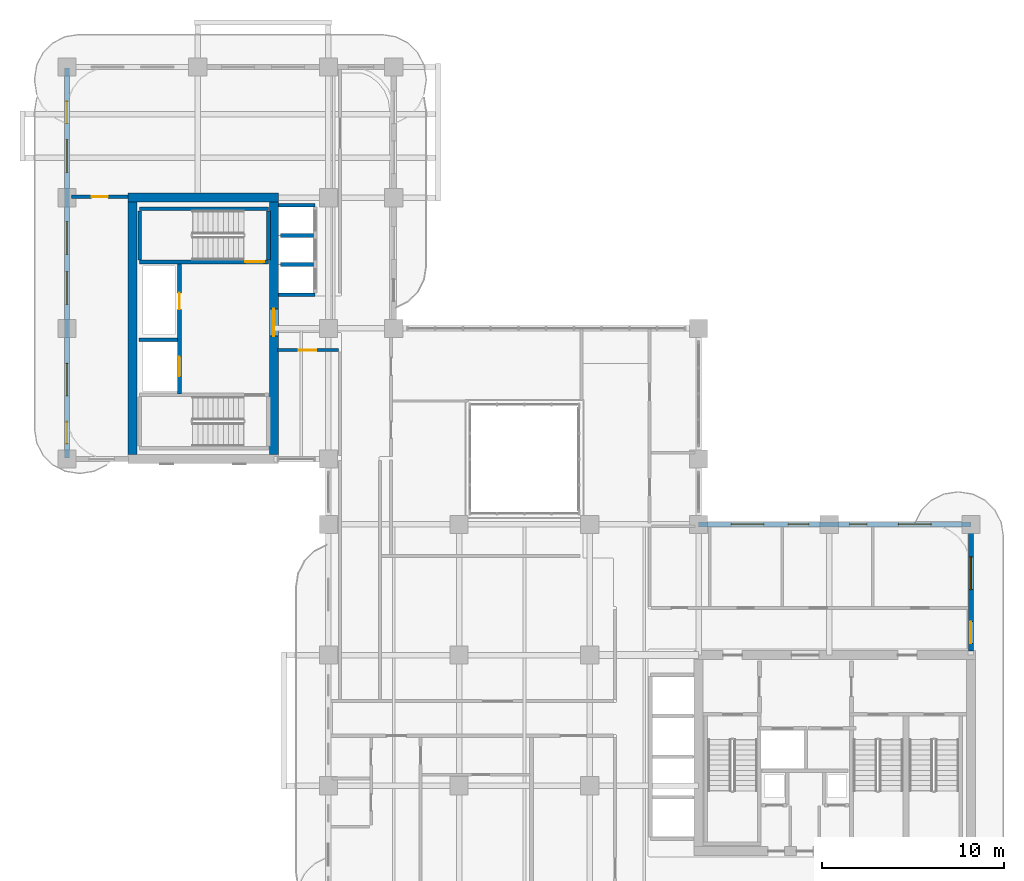
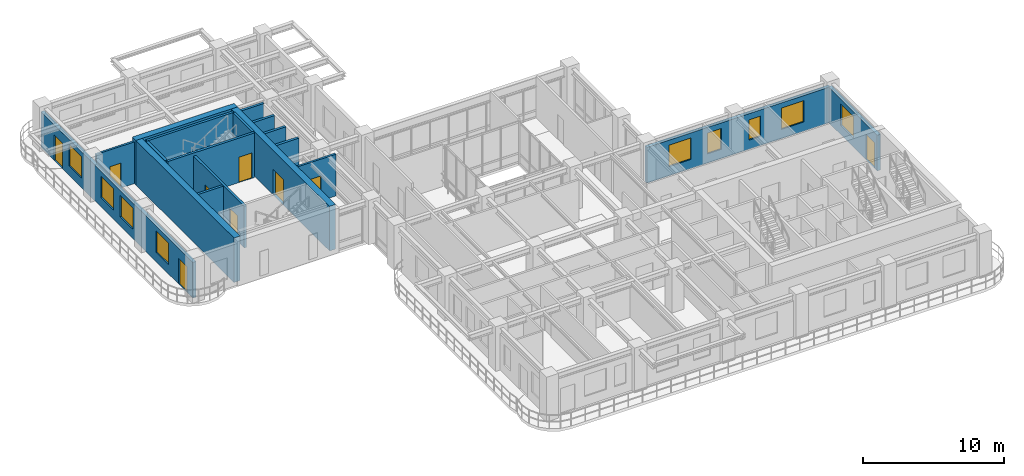
# One storey, part 14 of 19: 18 walls, 9 doors, 9 windows, 18 openings.
"""IFC4 building model written with IfcOpenShell, lengths in metres."""

from ifc_helpers import new_model, si_unit, derived_unit, direction, frame, frame_2d, origin, place, context, subcontext, project, spatial, rectangle, extrude, source, transform, mapped, material, layer, layer_set, type_object, type_shapes, element, fill, save


model = new_model("IFC4")

# Units and contexts
model_context = context("Model", 3, precision=1e-05, world=origin(), true_north=direction((0.0, 1.0)))
body_context = subcontext(model_context, "Body", "Model", "MODEL_VIEW")
ifc_project = project(units=[si_unit("LENGTHUNIT", "METRE"), si_unit("AREAUNIT", "SQUARE_METRE"), si_unit("VOLUMEUNIT", "CUBIC_METRE"), si_unit("PLANEANGLEUNIT", "RADIAN"), si_unit("MASSUNIT", "GRAM", prefix="KILO"), si_unit("THERMODYNAMICTEMPERATUREUNIT", "KELVIN"), si_unit("POWERUNIT", "WATT"), derived_unit("THERMALTRANSMITTANCEUNIT", [(si_unit("POWERUNIT", "WATT"), 1), (si_unit("AREAUNIT", "SQUARE_METRE"), -1), (si_unit("THERMODYNAMICTEMPERATUREUNIT", "KELVIN"), -1)])], contexts=[model_context])

# Site, building, storey
site_placement = place(None, origin())
site = spatial("IfcSite", under=ifc_project, at=site_placement, CompositionType="ELEMENT")
building_placement = place(site_placement, origin())
building = spatial("IfcBuilding", under=site, at=building_placement, Name="Zahravan Archway Hotel and Residences", CompositionType="ELEMENT")
storey_placement = place(building_placement, frame((0.0, 0.0, 158.0)))
storey = spatial("IfcBuildingStorey", under=building, at=storey_placement, Name="L39", CompositionType="ELEMENT", Elevation=158.0)

# Walls
ifc_material_1 = material(Name="Concrete C60/75", Category="concrete")
ifc_layer_1 = layer(ifc_material_1, 0.5, Name="Concrete C60/75", Category="concrete")
ifc_layer_set_1 = layer_set([ifc_layer_1], Name="Concrete C60/75")
wall_type_1 = type_object("IfcWallType", Name="CW-CORE-500", PredefinedType="SHEAR", material=ifc_layer_set_1)
wall_1_placement = place(storey_placement, frame((3.35009765625, 39.60009765625, 0.0), z_axis=(0.0, 0.0, 1.0), x_axis=(1.0, 0.0, 0.0)))
element("IfcWall", 1, at=wall_1_placement, inside=storey, type_object=wall_type_1, Name="L39 Core B Shear N Wall 500 mm", PredefinedType="SHEAR", context=body_context, shape_type="SweptSolid", body=[
    extrude(rectangle(XDim=8.2998046875, YDim=0.5, at=frame_2d((4.14990234375, 0.0))), origin(), (0.0, 0.0, 1.0), 3.85009765625),
])
wall_2_placement = place(storey_placement, frame((3.60009765625, 25.449951171875, 0.0), z_axis=(0.0, 0.0, 1.0), x_axis=(0.0, 1.0, 0.0)))
element("IfcWall", 2, at=wall_2_placement, inside=storey, type_object=wall_type_1, Name="L39 Core B Shear W Wall 500 mm", PredefinedType="SHEAR", context=body_context, shape_type="SweptSolid", body=[
    extrude(rectangle(XDim=13.900146484375, YDim=0.5, at=frame_2d((6.9501953125, 0.0))), origin(), (0.0, 0.0, 1.0), 3.85009765625),
])

# Wall, opening, door
wall_3_placement = place(storey_placement, frame((11.39990234375, 25.449951171875, 0.0), z_axis=(0.0, 0.0, 1.0), x_axis=(0.0, 1.0, 0.0)))
wall_3 = element("IfcWall", 3, at=wall_3_placement, inside=storey, type_object=wall_type_1, Name="L39 Core B Shear E Wall 500 mm", PredefinedType="SHEAR", context=body_context, shape_type="SweptSolid", body=[
    extrude(rectangle(XDim=13.900146484375, YDim=0.5, at=frame_2d((6.9501953125, 0.0))), origin(), (0.0, 0.0, 1.0), 3.85009765625),
])
opening_1_placement = place(wall_3_placement, frame((6.52001953125, 0.0, 0.0)))
opening_1 = element("IfcOpeningElement", 4, at=opening_1_placement, cuts=wall_3, Name="Opening FD-L1", PredefinedType="OPENING", context=body_context, shape_type="SweptSolid", body=[
    extrude(rectangle(XDim=1.5, YDim=2.199951171875, at=frame_2d((0.75, 1.10009765625))), frame((0.0, 0.260009765625, 0.0), z_axis=(0.0, -1.0, 0.0), x_axis=(1.0, 0.0, 0.0)), (0.0, 0.0, 1.0), 0.52001953125),
])
ifc_material_2 = material(Name="Fire-Rated Painted Steel", Category="steel")
door_type_1 = type_object("IfcDoorType", Name="FD-LOBBY-1500", OperationType="DOUBLE_DOOR_SINGLE_SWING", PredefinedType="DOOR", material=ifc_material_2)
shared_shape_1 = source(origin(), body_context, "Body", "SweptSolid", [
    extrude(rectangle(XDim=1.5, YDim=2.199951171875, at=frame_2d((0.75, 1.10009765625))), frame((0.0, 0.02490234375, 0.0), z_axis=(0.0, -1.0, 0.0), x_axis=(1.0, 0.0, 0.0)), (0.0, 0.0, 1.0), 0.050048828125),
])
type_shapes(door_type_1, [shared_shape_1])
door_1_placement = place(opening_1_placement, origin())
door_1 = element("IfcDoor", 5, at=door_1_placement, inside=storey, type_object=door_type_1, Name="L39 Core B FSAE Lobby Door", OperationType="DOUBLE_DOOR_SINGLE_SWING", OverallHeight=2.199951171875, OverallWidth=1.5, PredefinedType="DOOR", context=body_context, shape_type="MappedRepresentation", body=[
    mapped(shared_shape_1, transform((0.0, 0.0, 0.0), scale=1.0)),
])
fill(opening_1, door_1)

# Wall, openings, door, window
ifc_material_3 = material(Name="Honed Red-Ochre Sandstone & Insulated Block", Category="masonry")
ifc_layer_2 = layer(ifc_material_3, 0.280029296875, Name="Honed Red-Ochre Sandstone & Insulated Block", Category="masonry")
ifc_layer_set_2 = layer_set([ifc_layer_2], Name="Honed Red-Ochre Sandstone & Insulated Block")
wall_type_2 = type_object("IfcWallType", Name="EW-LOG-280", PredefinedType="SOLIDWALL", material=ifc_layer_set_2)
wall_4_placement = place(storey_placement, frame((49.800048828125, 14.6201171875, 0.0), z_axis=(0.0, 0.0, 1.0), x_axis=(0.0, 1.0, 0.0)))
wall_4 = element("IfcWall", 6, at=wall_4_placement, inside=storey, type_object=wall_type_2, Name="L39 Exterior Sandstone Wall WA-EN", PredefinedType="SOLIDWALL", context=body_context, shape_type="SweptSolid", body=[
    extrude(rectangle(XDim=6.929931640625, YDim=0.280029296875, at=frame_2d((3.46484375, 0.0))), origin(), (0.0, 0.0, 1.0), 3.0849609375),
])
opening_2_placement = place(wall_4_placement, frame((0.419921875, 0.0, 0.0)))
opening_2 = element("IfcOpeningElement", 7, at=opening_2_placement, cuts=wall_4, Name="Opening ED-BL1", PredefinedType="OPENING", context=body_context, shape_type="SweptSolid", body=[
    extrude(rectangle(XDim=1.199951171875, YDim=2.199951171875, at=frame_2d((0.60009765625, 1.10009765625))), frame((0.0, 0.14990234375, 0.0), z_axis=(0.0, -1.0, 0.0), x_axis=(1.0, 0.0, 0.0)), (0.0, 0.0, 1.0), 0.300048828125),
])
opening_3_placement = place(wall_4_placement, frame((3.384033203125, 0.0, 0.800048828125)))
opening_3 = element("IfcOpeningElement", 8, at=opening_3_placement, cuts=wall_4, Name="Opening W-02", PredefinedType="OPENING", context=body_context, shape_type="SweptSolid", body=[
    extrude(rectangle(XDim=1.800048828125, YDim=1.85009765625, at=frame_2d((0.89990234375, 0.925048828125))), frame((0.0, 0.14990234375, 0.0), z_axis=(0.0, -1.0, 0.0), x_axis=(1.0, 0.0, 0.0)), (0.0, 0.0, 1.0), 0.300048828125),
])
ifc_material_4 = material(Name="Bronze-Anodized Glazed Aluminium", Category="aluminium")
door_type_2 = type_object("IfcDoorType", Name="ED-BALC-1200", OperationType="SLIDING_TO_LEFT", PredefinedType="DOOR", material=ifc_material_4)
shared_shape_2 = source(origin(), body_context, "Body", "SweptSolid", [
    extrude(rectangle(XDim=1.199951171875, YDim=2.199951171875, at=frame_2d((0.60009765625, 1.10009765625))), frame((0.0, 0.02490234375, 0.0), z_axis=(0.0, -1.0, 0.0), x_axis=(1.0, 0.0, 0.0)), (0.0, 0.0, 1.0), 0.050048828125),
])
type_shapes(door_type_2, [shared_shape_2])
door_2_placement = place(opening_2_placement, origin())
door_2 = element("IfcDoor", 9, at=door_2_placement, inside=storey, type_object=door_type_2, Name="L39 Outdoor Access Sliding Door (SLB-BAL-L39-EA)", OperationType="SLIDING_TO_LEFT", OverallHeight=2.199951171875, OverallWidth=1.199951171875, PredefinedType="DOOR", context=body_context, shape_type="MappedRepresentation", body=[
    mapped(shared_shape_2, transform((0.0, 0.0, 0.0), scale=1.0)),
])
fill(opening_2, door_2)
ifc_material_5 = material(Name="Bronze-Anodized Thermal-Break Aluminium & Low-E Glass", Category="aluminium")
window_type_1 = type_object("IfcWindowType", Name="WIN-TWR-1800", PartitioningType="DOUBLE_PANEL_VERTICAL", PredefinedType="WINDOW", material=ifc_material_5)
shared_shape_3 = source(origin(), body_context, "Body", "SweptSolid", [
    extrude(rectangle(XDim=1.800048828125, YDim=1.85009765625, at=frame_2d((0.89990234375, 0.925048828125))), frame((0.0, 0.030029296875, 0.0), z_axis=(0.0, -1.0, 0.0), x_axis=(1.0, 0.0, 0.0)), (0.0, 0.0, 1.0), 0.06005859375),
])
type_shapes(window_type_1, [shared_shape_3])
window_1_placement = place(opening_3_placement, origin())
window_1 = element("IfcWindow", 10, at=window_1_placement, inside=storey, type_object=window_type_1, Name="L39 Loggia Window 10", OverallHeight=1.85009765625, OverallWidth=1.800048828125, PartitioningType="DOUBLE_PANEL_VERTICAL", PredefinedType="WINDOW", context=body_context, shape_type="MappedRepresentation", body=[
    mapped(shared_shape_3, transform((0.0, 0.0, 0.0), scale=1.0)),
])
fill(opening_3, window_1)

# Wall, openings, windows
wall_5_placement = place(storey_placement, frame((34.800048828125, 21.60009765625, 0.0), z_axis=(0.0, 0.0, 1.0), x_axis=(1.0, 0.0, 0.0)))
wall_5 = element("IfcWall", 11, at=wall_5_placement, inside=storey, type_object=wall_type_2, Name="L39 Exterior Sandstone Wall WA-NE", PredefinedType="SOLIDWALL", context=body_context, shape_type="SweptSolid", body=[
    extrude(rectangle(XDim=15.0, YDim=0.280029296875, at=frame_2d((7.5, 0.0))), origin(), (0.0, 0.0, 1.0), 3.0849609375),
])
opening_4_placement = place(wall_5_placement, frame((1.7958984375, 0.0, 0.800048828125)))
opening_4 = element("IfcOpeningElement", 12, at=opening_4_placement, cuts=wall_5, Name="Opening W-02", PredefinedType="OPENING", context=body_context, shape_type="SweptSolid", body=[
    extrude(rectangle(XDim=1.800048828125, YDim=1.85009765625, at=frame_2d((0.89990234375, 0.925048828125))), frame((0.0, 0.14990234375, 0.0), z_axis=(0.0, -1.0, 0.0), x_axis=(1.0, 0.0, 0.0)), (0.0, 0.0, 1.0), 0.300048828125),
])
opening_5_placement = place(wall_5_placement, frame((4.928955078125, 0.0, 0.800048828125)))
opening_5 = element("IfcOpeningElement", 13, at=opening_5_placement, cuts=wall_5, Name="Opening W-05", PredefinedType="OPENING", context=body_context, shape_type="SweptSolid", body=[
    extrude(rectangle(XDim=1.14990234375, YDim=1.800048828125, at=frame_2d((0.574951171875, 0.89990234375))), frame((0.0, 0.14990234375, 0.0), z_axis=(0.0, -1.0, 0.0), x_axis=(1.0, 0.0, 0.0)), (0.0, 0.0, 1.0), 0.300048828125),
])
opening_6_placement = place(wall_5_placement, frame((8.321044921875, 0.0, 0.800048828125)))
opening_6 = element("IfcOpeningElement", 14, at=opening_6_placement, cuts=wall_5, Name="Opening W-04", PredefinedType="OPENING", context=body_context, shape_type="SweptSolid", body=[
    extrude(rectangle(XDim=0.949951171875, YDim=1.75, at=frame_2d((0.47509765625, 0.875))), frame((0.0, 0.14990234375, 0.0), z_axis=(0.0, -1.0, 0.0), x_axis=(1.0, 0.0, 0.0)), (0.0, 0.0, 1.0), 0.300048828125),
])
opening_7_placement = place(wall_5_placement, frame((11.00390625, 0.0, 0.800048828125)))
opening_7 = element("IfcOpeningElement", 15, at=opening_7_placement, cuts=wall_5, Name="Opening W-02", PredefinedType="OPENING", context=body_context, shape_type="SweptSolid", body=[
    extrude(rectangle(XDim=1.800048828125, YDim=1.85009765625, at=frame_2d((0.89990234375, 0.925048828125))), frame((0.0, 0.14990234375, 0.0), z_axis=(0.0, -1.0, 0.0), x_axis=(1.0, 0.0, 0.0)), (0.0, 0.0, 1.0), 0.300048828125),
])
window_type_2 = type_object("IfcWindowType", Name="WIN-NAR-950", PartitioningType="SINGLE_PANEL", PredefinedType="WINDOW", material=ifc_material_5)
shared_shape_4 = source(origin(), body_context, "Body", "SweptSolid", [
    extrude(rectangle(XDim=0.949951171875, YDim=1.75, at=frame_2d((0.47509765625, 0.875))), frame((0.0, 0.030029296875, 0.0), z_axis=(0.0, -1.0, 0.0), x_axis=(1.0, 0.0, 0.0)), (0.0, 0.0, 1.0), 0.06005859375),
])
type_shapes(window_type_2, [shared_shape_4])
window_2_placement = place(opening_6_placement, origin())
window_2 = element("IfcWindow", 16, at=window_2_placement, inside=storey, type_object=window_type_2, Name="L39 Loggia Window 13", OverallHeight=1.75, OverallWidth=0.949951171875, PartitioningType="SINGLE_PANEL", PredefinedType="WINDOW", context=body_context, shape_type="MappedRepresentation", body=[
    mapped(shared_shape_4, transform((0.0, 0.0, 0.0), scale=1.0)),
])
fill(opening_6, window_2)
window_3_placement = place(opening_4_placement, origin())
window_3 = element("IfcWindow", 17, at=window_3_placement, inside=storey, type_object=window_type_1, Name="L39 Loggia Window 11", OverallHeight=1.85009765625, OverallWidth=1.800048828125, PartitioningType="DOUBLE_PANEL_VERTICAL", PredefinedType="WINDOW", context=body_context, shape_type="MappedRepresentation", body=[
    mapped(shared_shape_3, transform((0.0, 0.0, 0.0), scale=1.0)),
])
fill(opening_4, window_3)
window_4_placement = place(opening_7_placement, origin())
window_4 = element("IfcWindow", 18, at=window_4_placement, inside=storey, type_object=window_type_1, Name="L39 Loggia Window 14", OverallHeight=1.85009765625, OverallWidth=1.800048828125, PartitioningType="DOUBLE_PANEL_VERTICAL", PredefinedType="WINDOW", context=body_context, shape_type="MappedRepresentation", body=[
    mapped(shared_shape_3, transform((0.0, 0.0, 0.0), scale=1.0)),
])
fill(opening_7, window_4)
window_type_3 = type_object("IfcWindowType", Name="WIN-TWR-1150", PartitioningType="SINGLE_PANEL", PredefinedType="WINDOW", material=ifc_material_5)
shared_shape_5 = source(origin(), body_context, "Body", "SweptSolid", [
    extrude(rectangle(XDim=1.14990234375, YDim=1.800048828125, at=frame_2d((0.574951171875, 0.89990234375))), frame((0.0, 0.030029296875, 0.0), z_axis=(0.0, -1.0, 0.0), x_axis=(1.0, 0.0, 0.0)), (0.0, 0.0, 1.0), 0.06005859375),
])
type_shapes(window_type_3, [shared_shape_5])
window_5_placement = place(opening_5_placement, origin())
window_5 = element("IfcWindow", 19, at=window_5_placement, inside=storey, type_object=window_type_3, Name="L39 Loggia Window 12", OverallHeight=1.800048828125, OverallWidth=1.14990234375, PartitioningType="SINGLE_PANEL", PredefinedType="WINDOW", context=body_context, shape_type="MappedRepresentation", body=[
    mapped(shared_shape_5, transform((0.0, 0.0, 0.0), scale=1.0)),
])
fill(opening_5, window_5)

# Wall, openings, doors, windows
wall_6_placement = place(storey_placement, frame((0.0, 25.25, 0.0), z_axis=(0.0, 0.0, 1.0), x_axis=(0.0, 1.0, 0.0)))
wall_6 = element("IfcWall", 20, at=wall_6_placement, inside=storey, type_object=wall_type_2, Name="L39 Exterior Sandstone Wall WB-W", PredefinedType="SOLIDWALL", context=body_context, shape_type="SweptSolid", body=[
    extrude(rectangle(XDim=21.5, YDim=0.280029296875, at=frame_2d((10.75, 0.0))), origin(), (0.0, 0.0, 1.0), 3.0849609375),
])
opening_8_placement = place(wall_6_placement, frame((18.449951171875, 0.0, 0.0)))
opening_8 = element("IfcOpeningElement", 21, at=opening_8_placement, cuts=wall_6, Name="Opening ED-BL1", PredefinedType="OPENING", context=body_context, shape_type="SweptSolid", body=[
    extrude(rectangle(XDim=1.199951171875, YDim=2.199951171875, at=frame_2d((0.60009765625, 1.10009765625))), frame((0.0, 0.14990234375, 0.0), z_axis=(0.0, -1.0, 0.0), x_axis=(1.0, 0.0, 0.0)), (0.0, 0.0, 1.0), 0.300048828125),
])
opening_9_placement = place(wall_6_placement, frame((0.800048828125, 0.0, 0.0)))
opening_9 = element("IfcOpeningElement", 22, at=opening_9_placement, cuts=wall_6, Name="Opening ED-BL1", PredefinedType="OPENING", context=body_context, shape_type="SweptSolid", body=[
    extrude(rectangle(XDim=1.199951171875, YDim=2.199951171875, at=frame_2d((0.60009765625, 1.10009765625))), frame((0.0, 0.14990234375, 0.0), z_axis=(0.0, -1.0, 0.0), x_axis=(1.0, 0.0, 0.0)), (0.0, 0.0, 1.0), 0.300048828125),
])
opening_10_placement = place(wall_6_placement, frame((3.425048828125, 0.0, 0.800048828125)))
opening_10 = element("IfcOpeningElement", 23, at=opening_10_placement, cuts=wall_6, Name="Opening W-02", PredefinedType="OPENING", context=body_context, shape_type="SweptSolid", body=[
    extrude(rectangle(XDim=1.800048828125, YDim=1.85009765625, at=frame_2d((0.89990234375, 0.925048828125))), frame((0.0, 0.14990234375, 0.0), z_axis=(0.0, -1.0, 0.0), x_axis=(1.0, 0.0, 0.0)), (0.0, 0.0, 1.0), 0.300048828125),
])
opening_11_placement = place(wall_6_placement, frame((8.47509765625, 0.0, 0.800048828125)))
opening_11 = element("IfcOpeningElement", 24, at=opening_11_placement, cuts=wall_6, Name="Opening W-02", PredefinedType="OPENING", context=body_context, shape_type="SweptSolid", body=[
    extrude(rectangle(XDim=1.800048828125, YDim=1.85009765625, at=frame_2d((0.89990234375, 0.925048828125))), frame((0.0, 0.14990234375, 0.0), z_axis=(0.0, -1.0, 0.0), x_axis=(1.0, 0.0, 0.0)), (0.0, 0.0, 1.0), 0.300048828125),
])
opening_12_placement = place(wall_6_placement, frame((11.22509765625, 0.0, 0.800048828125)))
opening_12 = element("IfcOpeningElement", 25, at=opening_12_placement, cuts=wall_6, Name="Opening W-02", PredefinedType="OPENING", context=body_context, shape_type="SweptSolid", body=[
    extrude(rectangle(XDim=1.800048828125, YDim=1.85009765625, at=frame_2d((0.89990234375, 0.925048828125))), frame((0.0, 0.14990234375, 0.0), z_axis=(0.0, -1.0, 0.0), x_axis=(1.0, 0.0, 0.0)), (0.0, 0.0, 1.0), 0.300048828125),
])
opening_13_placement = place(wall_6_placement, frame((15.75, 0.0, 0.800048828125)))
opening_13 = element("IfcOpeningElement", 26, at=opening_13_placement, cuts=wall_6, Name="Opening W-02", PredefinedType="OPENING", context=body_context, shape_type="SweptSolid", body=[
    extrude(rectangle(XDim=1.800048828125, YDim=1.85009765625, at=frame_2d((0.89990234375, 0.925048828125))), frame((0.0, 0.14990234375, 0.0), z_axis=(0.0, -1.0, 0.0), x_axis=(1.0, 0.0, 0.0)), (0.0, 0.0, 1.0), 0.300048828125),
])
door_3_placement = place(opening_8_placement, origin())
door_3 = element("IfcDoor", 27, at=door_3_placement, inside=storey, type_object=door_type_2, Name="L39 Outdoor Access Sliding Door (SLB-BAL-L39-NB)", OperationType="SLIDING_TO_LEFT", OverallHeight=2.199951171875, OverallWidth=1.199951171875, PredefinedType="DOOR", context=body_context, shape_type="MappedRepresentation", body=[
    mapped(shared_shape_2, transform((0.0, 0.0, 0.0), scale=1.0)),
])
fill(opening_8, door_3)
door_4_placement = place(opening_9_placement, origin())
door_4 = element("IfcDoor", 28, at=door_4_placement, inside=storey, type_object=door_type_2, Name="L39 Outdoor Access Sliding Door (SLB-BAL-L39-WB)", OperationType="SLIDING_TO_LEFT", OverallHeight=2.199951171875, OverallWidth=1.199951171875, PredefinedType="DOOR", context=body_context, shape_type="MappedRepresentation", body=[
    mapped(shared_shape_2, transform((0.0, 0.0, 0.0), scale=1.0)),
])
fill(opening_9, door_4)
window_6_placement = place(opening_10_placement, origin())
window_6 = element("IfcWindow", 29, at=window_6_placement, inside=storey, type_object=window_type_1, Name="L39 Loggia Window 22", OverallHeight=1.85009765625, OverallWidth=1.800048828125, PartitioningType="DOUBLE_PANEL_VERTICAL", PredefinedType="WINDOW", context=body_context, shape_type="MappedRepresentation", body=[
    mapped(shared_shape_3, transform((0.0, 0.0, 0.0), scale=1.0)),
])
fill(opening_10, window_6)
window_7_placement = place(opening_11_placement, origin())
window_7 = element("IfcWindow", 30, at=window_7_placement, inside=storey, type_object=window_type_1, Name="L39 Loggia Window 23", OverallHeight=1.85009765625, OverallWidth=1.800048828125, PartitioningType="DOUBLE_PANEL_VERTICAL", PredefinedType="WINDOW", context=body_context, shape_type="MappedRepresentation", body=[
    mapped(shared_shape_3, transform((0.0, 0.0, 0.0), scale=1.0)),
])
fill(opening_11, window_7)
window_8_placement = place(opening_12_placement, origin())
window_8 = element("IfcWindow", 31, at=window_8_placement, inside=storey, type_object=window_type_1, Name="L39 Loggia Window 24", OverallHeight=1.85009765625, OverallWidth=1.800048828125, PartitioningType="DOUBLE_PANEL_VERTICAL", PredefinedType="WINDOW", context=body_context, shape_type="MappedRepresentation", body=[
    mapped(shared_shape_3, transform((0.0, 0.0, 0.0), scale=1.0)),
])
fill(opening_12, window_8)
window_9_placement = place(opening_13_placement, origin())
window_9 = element("IfcWindow", 32, at=window_9_placement, inside=storey, type_object=window_type_1, Name="L39 Loggia Window 25", OverallHeight=1.85009765625, OverallWidth=1.800048828125, PartitioningType="DOUBLE_PANEL_VERTICAL", PredefinedType="WINDOW", context=body_context, shape_type="MappedRepresentation", body=[
    mapped(shared_shape_3, transform((0.0, 0.0, 0.0), scale=1.0)),
])
fill(opening_13, window_9)

# Wall, openings, doors
ifc_material_6 = material(Name="Fire-Rated Gypsum & Concrete Block", Category="concrete")
ifc_layer_3 = layer(ifc_material_6, 0.199951171875, Name="Fire-Rated Gypsum & Concrete Block", Category="concrete")
ifc_layer_set_3 = layer_set([ifc_layer_3], Name="Fire-Rated Gypsum & Concrete Block")
wall_type_3 = type_object("IfcWallType", Name="PW-SHAFT-200", PredefinedType="PARTITIONING", material=ifc_layer_set_3)
wall_7_placement = place(storey_placement, frame((6.199951171875, 28.7900390625, 0.0), z_axis=(0.0, 0.0, 1.0), x_axis=(0.0, 1.0, 0.0)))
wall_7 = element("IfcWall", 33, at=wall_7_placement, inside=storey, type_object=wall_type_3, Name="L39 Partition CB-FL3E", PredefinedType="PARTITIONING", context=body_context, shape_type="SweptSolid", body=[
    extrude(rectangle(XDim=7.219970703125, YDim=0.199951171875, at=frame_2d((3.60986328125, 0.0))), origin(), (0.0, 0.0, 1.0), 3.60009765625),
])
opening_14_placement = place(wall_7_placement, frame((4.659912109375, 0.0, 0.0)))
opening_14 = element("IfcOpeningElement", 34, at=opening_14_placement, cuts=wall_7, Name="Opening FD-R1", PredefinedType="OPENING", context=body_context, shape_type="SweptSolid", body=[
    extrude(rectangle(XDim=0.89990234375, YDim=2.10009765625, at=frame_2d((0.449951171875, 1.050048828125))), frame((0.0, 0.10986328125, 0.0), z_axis=(0.0, -1.0, 0.0), x_axis=(1.0, 0.0, 0.0)), (0.0, 0.0, 1.0), 0.219970703125),
])
opening_15_placement = place(wall_7_placement, frame((0.9599609375, 0.0, 0.0)))
opening_15 = element("IfcOpeningElement", 35, at=opening_15_placement, cuts=wall_7, Name="Opening LD", PredefinedType="OPENING", context=body_context, shape_type="SweptSolid", body=[
    extrude(rectangle(XDim=1.10009765625, YDim=2.199951171875, at=frame_2d((0.550048828125, 1.10009765625))), frame((0.0, 0.10986328125, 0.0), z_axis=(0.0, -1.0, 0.0), x_axis=(1.0, 0.0, 0.0)), (0.0, 0.0, 1.0), 0.219970703125),
])
door_type_3 = type_object("IfcDoorType", Name="FD-RISER-900", OperationType="NOTDEFINED", PredefinedType="DOOR", material=ifc_material_2)
shared_shape_6 = source(origin(), body_context, "Body", "SweptSolid", [
    extrude(rectangle(XDim=0.89990234375, YDim=2.10009765625, at=frame_2d((0.449951171875, 1.050048828125))), frame((0.0, 0.02490234375, 0.0), z_axis=(0.0, -1.0, 0.0), x_axis=(1.0, 0.0, 0.0)), (0.0, 0.0, 1.0), 0.050048828125),
])
type_shapes(door_type_3, [shared_shape_6])
door_5_placement = place(opening_14_placement, origin())
door_5 = element("IfcDoor", 36, at=door_5_placement, inside=storey, type_object=door_type_3, Name="L39 Core B Riser Door", OperationType="SINGLE_SWING_LEFT", OverallHeight=2.10009765625, OverallWidth=0.89990234375, PredefinedType="DOOR", context=body_context, shape_type="MappedRepresentation", body=[
    mapped(shared_shape_6, transform((0.0, 0.0, 0.0), scale=1.0)),
])
fill(opening_14, door_5)
ifc_material_7 = material(Name="Brushed Stainless Steel", Category="steel")
door_type_4 = type_object("IfcDoorType", Name="DR-LIFT-LD", OperationType="SLIDING_TO_LEFT", PredefinedType="DOOR", material=ifc_material_7)
shared_shape_7 = source(origin(), body_context, "Body", "SweptSolid", [
    extrude(rectangle(XDim=1.10009765625, YDim=2.199951171875, at=frame_2d((0.550048828125, 1.10009765625))), frame((0.0, 0.02490234375, 0.0), z_axis=(0.0, -1.0, 0.0), x_axis=(1.0, 0.0, 0.0)), (0.0, 0.0, 1.0), 0.050048828125),
])
type_shapes(door_type_4, [shared_shape_7])
door_6_placement = place(opening_15_placement, origin())
door_6 = element("IfcDoor", 37, at=door_6_placement, inside=storey, type_object=door_type_4, Name="L39 Lift FL-3 Sliding Landing Door", OperationType="SLIDING_TO_LEFT", OverallHeight=2.199951171875, OverallWidth=1.10009765625, PredefinedType="DOOR", context=body_context, shape_type="MappedRepresentation", body=[
    mapped(shared_shape_7, transform((0.0, 0.0, 0.0), scale=1.0)),
])
fill(opening_15, door_6)

# Walls
wall_8_placement = place(storey_placement, frame((3.9599609375, 31.780029296875, 0.0), z_axis=(0.0, 0.0, 1.0), x_axis=(1.0, 0.0, 0.0)))
element("IfcWall", 38, at=wall_8_placement, inside=storey, type_object=wall_type_3, Name="L39 Partition CB-FL3N", PredefinedType="PARTITIONING", context=body_context, shape_type="SweptSolid", body=[
    extrude(rectangle(XDim=2.130126953125, YDim=0.199951171875, at=frame_2d((1.06494140625, 0.0))), origin(), (0.0, 0.0, 1.0), 3.60009765625),
])
for number, where, z_axis, x_axis, name in (
    (39, (11.659912109375, 34.25, 0.0), (0.0, 0.0, 1.0), (1.0, 0.0, 0.0), "L39 Partition B2-S"),
    (40, (11.659912109375, 39.18994140625, 0.0), (0.0, 0.0, 1.0), (1.0, 0.0, 0.0), "L39 Partition B2-N"),
):
    element("IfcWall", number, at=place(storey_placement, frame(where, z_axis=z_axis, x_axis=x_axis)), inside=storey, type_object=wall_type_3, Name=name, PredefinedType="PARTITIONING", context=body_context, shape_type="SweptSolid", body=[
        extrude(rectangle(XDim=2.010009765625, YDim=0.199951171875, at=frame_2d((1.0048828125, 0.0))), origin(), (0.0, 0.0, 1.0), 3.60009765625),
    ])
for number, where, z_axis, x_axis, name in (
    (41, (11.760009765625, 35.919921875, 0.0), (0.0, 0.0, 1.0), (1.0, 0.0, 0.0), "L39 Partition B2-D"),
    (42, (11.760009765625, 37.52001953125, 0.0), (0.0, 0.0, 1.0), (1.0, 0.0, 0.0), "L39 Partition B2-D"),
):
    element("IfcWall", number, at=place(storey_placement, frame(where, z_axis=z_axis, x_axis=x_axis)), inside=storey, type_object=wall_type_3, Name=name, PredefinedType="PARTITIONING", context=body_context, shape_type="SweptSolid", body=[
        extrude(rectangle(XDim=1.81005859375, YDim=0.199951171875, at=frame_2d((0.905029296875, 0.0))), origin(), (0.0, 0.0, 1.0), 3.60009765625),
    ])

# Wall, opening, door
ifc_material_8 = material(Name="Acoustic Stud Partition")
ifc_layer_4 = layer(ifc_material_8, 0.169921875, Name="Acoustic Stud Partition")
ifc_layer_set_4 = layer_set([ifc_layer_4], Name="Acoustic Stud Partition")
wall_type_4 = type_object("IfcWallType", Name="PW-UNIT-170", PredefinedType="PARTITIONING", material=ifc_layer_set_4)
wall_9_placement = place(storey_placement, frame((0.239990234375, 39.64990234375, 0.0), z_axis=(0.0, 0.0, 1.0), x_axis=(1.0, 0.0, 0.0)))
wall_9 = element("IfcWall", 43, at=wall_9_placement, inside=storey, type_object=wall_type_4, Name="L39 Partition WBW-N", PredefinedType="PARTITIONING", context=body_context, shape_type="SweptSolid", body=[
    extrude(rectangle(XDim=3.1201171875, YDim=0.169921875, at=frame_2d((1.56005859375, 0.0))), origin(), (0.0, 0.0, 1.0), 3.60009765625),
])
opening_16_placement = place(wall_9_placement, frame((1.110107421875, 0.0, 0.0)))
opening_16 = element("IfcOpeningElement", 44, at=opening_16_placement, cuts=wall_9, Name="Opening D-I2", PredefinedType="OPENING", context=body_context, shape_type="SweptSolid", body=[
    extrude(rectangle(XDim=0.89990234375, YDim=2.14990234375, at=frame_2d((0.449951171875, 1.074951171875))), frame((0.0, 0.094970703125, 0.0), z_axis=(0.0, -1.0, 0.0), x_axis=(1.0, 0.0, 0.0)), (0.0, 0.0, 1.0), 0.18994140625),
])
ifc_material_9 = material(Name="Hardwood Veneer Timber", Category="wood")
door_type_5 = type_object("IfcDoorType", Name="ID-INT-900", OperationType="NOTDEFINED", PredefinedType="DOOR", material=ifc_material_9)
shared_shape_8 = source(origin(), body_context, "Body", "SweptSolid", [
    extrude(rectangle(XDim=0.89990234375, YDim=2.14990234375, at=frame_2d((0.449951171875, 1.074951171875))), frame((0.0, 0.02490234375, 0.0), z_axis=(0.0, -1.0, 0.0), x_axis=(1.0, 0.0, 0.0)), (0.0, 0.0, 1.0), 0.050048828125),
])
type_shapes(door_type_5, [shared_shape_8])
door_7_placement = place(opening_16_placement, origin())
door_7 = element("IfcDoor", 45, at=door_7_placement, inside=storey, type_object=door_type_5, Name="L39 West Loggia Salon Door", OperationType="SINGLE_SWING_RIGHT", OverallHeight=2.14990234375, OverallWidth=0.89990234375, PredefinedType="DOOR", context=body_context, shape_type="MappedRepresentation", body=[
    mapped(shared_shape_8, transform((0.0, 0.0, 0.0), scale=1.0)),
])
fill(opening_16, door_7)

wall_10_placement = place(storey_placement, frame((11.590087890625, 31.199951171875, 0.0), z_axis=(0.0, 0.0, 1.0), x_axis=(1.0, 0.0, 0.0)))
wall_10 = element("IfcWall", 46, at=wall_10_placement, inside=storey, type_object=wall_type_4, Name="L39 Partition FB1-N", PredefinedType="PARTITIONING", context=body_context, shape_type="SweptSolid", body=[
    extrude(rectangle(XDim=3.369873046875, YDim=0.169921875, at=frame_2d((1.68505859375, 0.0))), origin(), (0.0, 0.0, 1.0), 3.60009765625),
])
opening_17_placement = place(wall_10_placement, frame((1.18505859375, 0.0, 0.0)))
opening_17 = element("IfcOpeningElement", 47, at=opening_17_placement, cuts=wall_10, Name="Opening D-I1", PredefinedType="OPENING", context=body_context, shape_type="SweptSolid", body=[
    extrude(rectangle(XDim=0.949951171875, YDim=2.14990234375, at=frame_2d((0.47509765625, 1.074951171875))), frame((0.0, 0.094970703125, 0.0), z_axis=(0.0, -1.0, 0.0), x_axis=(1.0, 0.0, 0.0)), (0.0, 0.0, 1.0), 0.18994140625),
])
door_type_6 = type_object("IfcDoorType", Name="ID-INT-950", OperationType="NOTDEFINED", PredefinedType="DOOR", material=ifc_material_9)
shared_shape_9 = source(origin(), body_context, "Body", "SweptSolid", [
    extrude(rectangle(XDim=0.949951171875, YDim=2.14990234375, at=frame_2d((0.47509765625, 1.074951171875))), frame((0.0, 0.02490234375, 0.0), z_axis=(0.0, -1.0, 0.0), x_axis=(1.0, 0.0, 0.0)), (0.0, 0.0, 1.0), 0.050048828125),
])
type_shapes(door_type_6, [shared_shape_9])
door_8_placement = place(opening_17_placement, origin())
door_8 = element("IfcDoor", 48, at=door_8_placement, inside=storey, type_object=door_type_6, Name="L39 Freed Bank 1 Reading Salon Door", OperationType="SINGLE_SWING_LEFT", OverallHeight=2.14990234375, OverallWidth=0.949951171875, PredefinedType="DOOR", context=body_context, shape_type="MappedRepresentation", body=[
    mapped(shared_shape_9, transform((0.0, 0.0, 0.0), scale=1.0)),
])
fill(opening_17, door_8)

# Walls
ifc_material_10 = material(Name="Concrete C50/60", Category="concrete")
ifc_layer_5 = layer(ifc_material_10, 0.199951171875, Name="Concrete C50/60", Category="concrete")
ifc_layer_set_5 = layer_set([ifc_layer_5], Name="Concrete C50/60")
wall_type_5 = type_object("IfcWallType", Name="SW-STAIR-200", PredefinedType="SHEAR", material=ifc_layer_set_5)
wall_11_placement = place(storey_placement, frame((4.0, 39.0, 0.0), z_axis=(0.0, 0.0, 1.0), x_axis=(1.0, 0.0, 0.0)))
element("IfcWall", 49, at=wall_11_placement, inside=storey, type_object=wall_type_5, Name="L39 Stairwell RC Wall CB-SB2N", PredefinedType="SHEAR", context=body_context, shape_type="SweptSolid", body=[
    extrude(rectangle(XDim=7.10009765625, YDim=0.199951171875, at=frame_2d((3.550048828125, 0.0))), origin(), (0.0, 0.0, 1.0), 3.85009765625),
])
for number, where, z_axis, x_axis, name in (
    (50, (4.0, 36.179931640625, 0.0), (0.0, 0.0, 1.0), (0.0, 1.0, 0.0), "L39 Stairwell RC Wall CB-SB2W"),
    (51, (11.10009765625, 36.179931640625, 0.0), (0.0, 0.0, 1.0), (0.0, 1.0, 0.0), "L39 Stairwell RC Wall CB-SB2E"),
):
    element("IfcWall", number, at=place(storey_placement, frame(where, z_axis=z_axis, x_axis=x_axis)), inside=storey, type_object=wall_type_5, Name=name, PredefinedType="SHEAR", context=body_context, shape_type="SweptSolid", body=[
        extrude(rectangle(XDim=2.699951171875, YDim=0.199951171875, at=frame_2d((1.35009765625, 0.0))), origin(), (0.0, 0.0, 1.0), 3.85009765625),
    ])

# Wall, opening, door
wall_12_placement = place(storey_placement, frame((4.0, 36.06005859375, 0.0), z_axis=(0.0, 0.0, 1.0), x_axis=(1.0, 0.0, 0.0)))
wall_12 = element("IfcWall", 52, at=wall_12_placement, inside=storey, type_object=wall_type_5, Name="L39 Stairwell RC Wall CB-SB2S", PredefinedType="SHEAR", context=body_context, shape_type="SweptSolid", body=[
    extrude(rectangle(XDim=7.10009765625, YDim=0.199951171875, at=frame_2d((3.550048828125, 0.0))), origin(), (0.0, 0.0, 1.0), 3.85009765625),
])
opening_18_placement = place(wall_12_placement, frame((5.81494140625, 0.0, 0.0)))
opening_18 = element("IfcOpeningElement", 53, at=opening_18_placement, cuts=wall_12, Name="Opening FD-S1", PredefinedType="OPENING", context=body_context, shape_type="SweptSolid", body=[
    extrude(rectangle(XDim=1.050048828125, YDim=2.199951171875, at=frame_2d((0.52490234375, 1.10009765625))), frame((0.0, 0.10986328125, 0.0), z_axis=(0.0, -1.0, 0.0), x_axis=(1.0, 0.0, 0.0)), (0.0, 0.0, 1.0), 0.219970703125),
])
door_type_7 = type_object("IfcDoorType", Name="FD-STAIR-1100", OperationType="NOTDEFINED", PredefinedType="DOOR", material=ifc_material_2)
shared_shape_10 = source(origin(), body_context, "Body", "SweptSolid", [
    extrude(rectangle(XDim=1.050048828125, YDim=2.199951171875, at=frame_2d((0.52490234375, 1.10009765625))), frame((0.0, 0.02490234375, 0.0), z_axis=(0.0, -1.0, 0.0), x_axis=(1.0, 0.0, 0.0)), (0.0, 0.0, 1.0), 0.050048828125),
])
type_shapes(door_type_7, [shared_shape_10])
door_9_placement = place(opening_18_placement, origin())
door_9 = element("IfcDoor", 54, at=door_9_placement, inside=storey, type_object=door_type_7, Name="L39 Stair ST-B2 Door", OperationType="SINGLE_SWING_RIGHT", OverallHeight=2.199951171875, OverallWidth=1.050048828125, PredefinedType="DOOR", context=body_context, shape_type="MappedRepresentation", body=[
    mapped(shared_shape_10, transform((0.0, 0.0, 0.0), scale=1.0)),
])
fill(opening_18, door_9)

save(model, "model.ifc")
